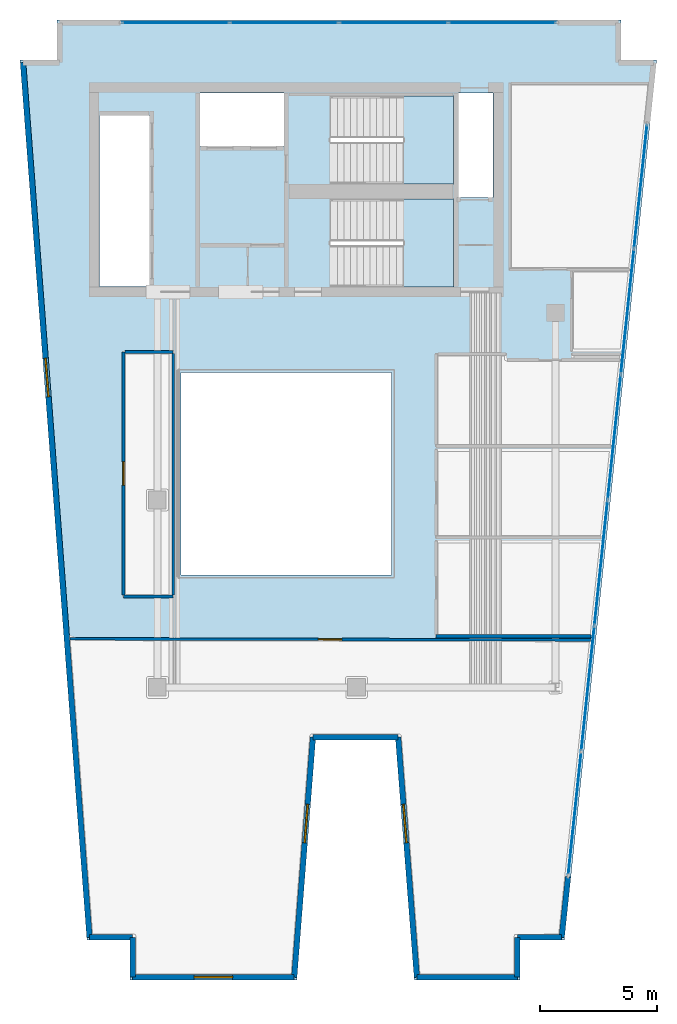
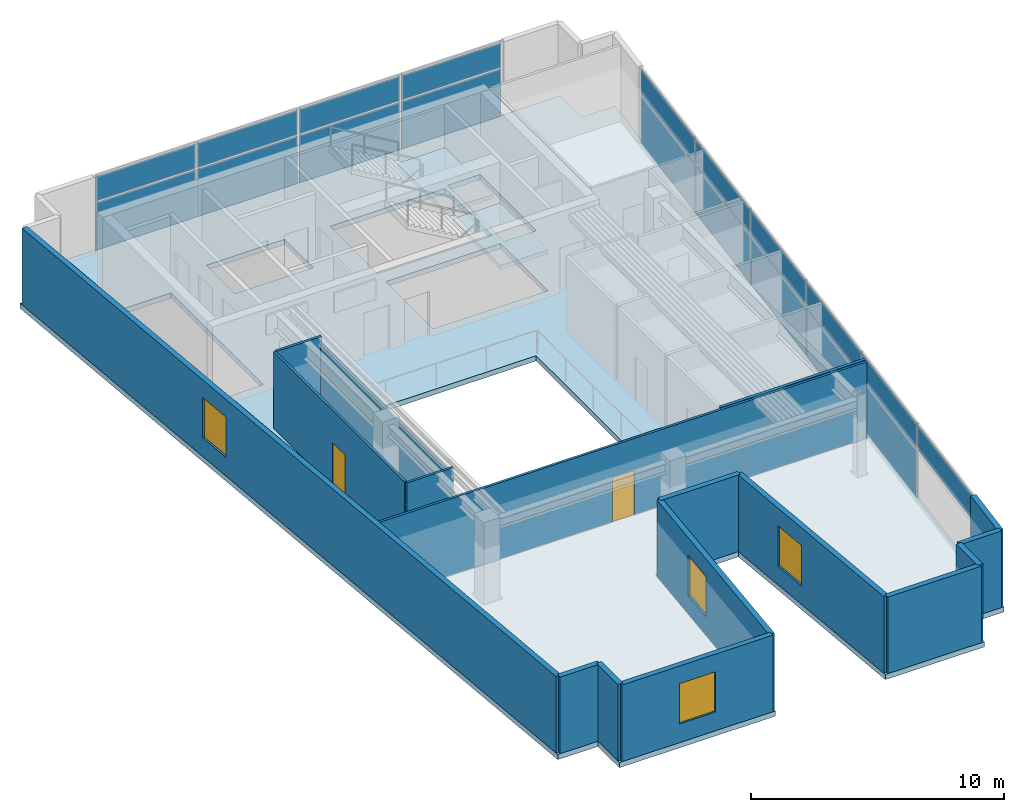
# One storey, part 2 of 6: 19 plates, 17 walls, 4 windows, 3 slabs, 2 doors, 6 openings, 4 elements without a shape of their own.
"""IFC4 building model written with IfcOpenShell, lengths in metres."""

from ifc_helpers import new_model, si_unit, direction, frame, frame_2d, origin, origin_2d, place, context, subcontext, project, spatial, polyline, rectangle, outline, extrude, material, layer, layer_set, type_object, element, fill, aggregate, save


model = new_model("IFC4")

# Units and contexts
model_context = context("Model", 3, precision=1e-05, world=origin(), true_north=direction((0.0, 1.0)))
body_context = subcontext(model_context, "Body", "Model", "MODEL_VIEW")
ifc_project = project(units=[si_unit("LENGTHUNIT", "METRE"), si_unit("AREAUNIT", "SQUARE_METRE"), si_unit("VOLUMEUNIT", "CUBIC_METRE"), si_unit("PLANEANGLEUNIT", "RADIAN"), si_unit("MASSUNIT", "GRAM", prefix="KILO")], contexts=[model_context])

# Site, building, storey
site_placement = place(None, origin())
site = spatial("IfcSite", under=ifc_project, at=site_placement, CompositionType="ELEMENT")
building_placement = place(site_placement, origin())
building = spatial("IfcBuilding", under=site, at=building_placement, Name="Caeloran Harvest Quay", CompositionType="ELEMENT")
storey_placement = place(building_placement, frame((0.0, 0.0, 292.25)))
storey = spatial("IfcBuildingStorey", under=building, at=storey_placement, Name="L70", CompositionType="ELEMENT", Elevation=292.25)

# Curtain wall, plates
ifc_material_1 = material(Name="Aluminium 6063-T6 and Low-E Glazing", Category="aluminium")
ifc_layer_1 = layer(ifc_material_1, 0.219970703125, Name="Aluminium 6063-T6 and Low-E Glazing")
ifc_layer_set_1 = layer_set([ifc_layer_1], Name="Aluminium 6063-T6 and Low-E Glazing")
curtain_wall_type = type_object("IfcCurtainWallType", Name="CW-SYS-CW-5", PredefinedType="USERDEFINED", material=ifc_layer_set_1)
curtain_wall_1_placement = place(storey_placement, origin())
curtain_wall_1 = element("IfcCurtainWall", 1, at=curtain_wall_1_placement, inside=storey, type_object=curtain_wall_type, Name="L70 Unitised Curtain Wall CW-5 Run 6", ObjectType="CURTAIN_WALL", PredefinedType="USERDEFINED")
ifc_material_2 = material(Name="Low-E Double Glazed Vision Glass Unit", Category="glass")
ifc_layer_2 = layer(ifc_material_2, 0.035888671875, Name="Low-E Double Glazed Vision Glass Unit")
ifc_layer_set_2 = layer_set([ifc_layer_2], Name="Low-E Double Glazed Vision Glass Unit")
plate_type = type_object("IfcPlateType", Name="CW-VISION-PANEL", PredefinedType="CURTAIN_PANEL", material=ifc_layer_set_2)
plate_1_placement = place(storey_placement, frame((9.2724609375, 43.3798828125, 0.080078125), z_axis=(0.0, 0.0, 1.0), x_axis=(1.0, 0.0, 0.0)))
plate_1 = element("IfcPlate", 2, at=plate_1_placement, type_object=plate_type, Name="CW-5 panel 1.1", PredefinedType="CURTAIN_PANEL", context=body_context, shape_type="SweptSolid", body=[
    extrude(rectangle(XDim=4.544921875, YDim=0.035888671875, at=origin_2d()), origin(), (0.0, 0.0, 1.0), 2.280029296875),
])
plate_2_placement = place(storey_placement, frame((9.2724609375, 43.3798828125, 2.43994140625), z_axis=(0.0, 0.0, 1.0), x_axis=(1.0, 0.0, 0.0)))
plate_2 = element("IfcPlate", 3, at=plate_2_placement, type_object=plate_type, Name="CW-5 panel 1.2", PredefinedType="CURTAIN_PANEL", context=body_context, shape_type="SweptSolid", body=[
    extrude(rectangle(XDim=4.544921875, YDim=0.035888671875, at=origin_2d()), origin(), (0.0, 0.0, 1.0), 1.179931640625),
])
plate_3_placement = place(storey_placement, frame((13.91748046875, 43.3798828125, 0.080078125), z_axis=(0.0, 0.0, 1.0), x_axis=(1.0, 0.0, 0.0)))
plate_3 = element("IfcPlate", 4, at=plate_3_placement, type_object=plate_type, Name="CW-5 panel 2.1", PredefinedType="CURTAIN_PANEL", context=body_context, shape_type="SweptSolid", body=[
    extrude(rectangle(XDim=4.5849609375, YDim=0.035888671875, at=origin_2d()), origin(), (0.0, 0.0, 1.0), 2.280029296875),
])
plate_4_placement = place(storey_placement, frame((13.91748046875, 43.3798828125, 2.43994140625), z_axis=(0.0, 0.0, 1.0), x_axis=(1.0, 0.0, 0.0)))
plate_4 = element("IfcPlate", 5, at=plate_4_placement, type_object=plate_type, Name="CW-5 panel 2.2", PredefinedType="CURTAIN_PANEL", context=body_context, shape_type="SweptSolid", body=[
    extrude(rectangle(XDim=4.5849609375, YDim=0.035888671875, at=origin_2d()), origin(), (0.0, 0.0, 1.0), 1.179931640625),
])
plate_5_placement = place(storey_placement, frame((18.58251953125, 43.3798828125, 0.080078125), z_axis=(0.0, 0.0, 1.0), x_axis=(1.0, 0.0, 0.0)))
plate_5 = element("IfcPlate", 6, at=plate_5_placement, type_object=plate_type, Name="CW-5 panel 3.1", PredefinedType="CURTAIN_PANEL", context=body_context, shape_type="SweptSolid", body=[
    extrude(rectangle(XDim=4.5849609375, YDim=0.035888671875, at=origin_2d()), origin(), (0.0, 0.0, 1.0), 2.280029296875),
])
plate_6_placement = place(storey_placement, frame((18.58251953125, 43.3798828125, 2.43994140625), z_axis=(0.0, 0.0, 1.0), x_axis=(1.0, 0.0, 0.0)))
plate_6 = element("IfcPlate", 7, at=plate_6_placement, type_object=plate_type, Name="CW-5 panel 3.2", PredefinedType="CURTAIN_PANEL", context=body_context, shape_type="SweptSolid", body=[
    extrude(rectangle(XDim=4.5849609375, YDim=0.035888671875, at=origin_2d()), origin(), (0.0, 0.0, 1.0), 1.179931640625),
])
plate_7_placement = place(storey_placement, frame((23.2275390625, 43.3798828125, 0.080078125), z_axis=(0.0, 0.0, 1.0), x_axis=(1.0, 0.0, 0.0)))
plate_7 = element("IfcPlate", 8, at=plate_7_placement, type_object=plate_type, Name="CW-5 panel 4.1", PredefinedType="CURTAIN_PANEL", context=body_context, shape_type="SweptSolid", body=[
    extrude(rectangle(XDim=4.544921875, YDim=0.035888671875, at=origin_2d()), origin(), (0.0, 0.0, 1.0), 2.280029296875),
])
plate_8_placement = place(storey_placement, frame((23.2275390625, 43.3798828125, 2.43994140625), z_axis=(0.0, 0.0, 1.0), x_axis=(1.0, 0.0, 0.0)))
plate_8 = element("IfcPlate", 9, at=plate_8_placement, type_object=plate_type, Name="CW-5 panel 4.2", PredefinedType="CURTAIN_PANEL", context=body_context, shape_type="SweptSolid", body=[
    extrude(rectangle(XDim=4.544921875, YDim=0.035888671875, at=origin_2d()), origin(), (0.0, 0.0, 1.0), 1.179931640625),
])
aggregate(curtain_wall_1, [plate_1, plate_2, plate_3, plate_4, plate_5, plate_6, plate_7, plate_8])

curtain_wall_2_placement = place(storey_placement, origin())
curtain_wall_2 = element("IfcCurtainWall", 10, at=curtain_wall_2_placement, inside=storey, type_object=curtain_wall_type, Name="L70 Unitised Curtain Wall CW-5 Run 9", ObjectType="CURTAIN_WALL", PredefinedType="USERDEFINED")
plate_9_placement = place(storey_placement, frame((29.132568359375, 36.391845703125, 0.080078125), z_axis=(0.0, 0.0, 1.0), x_axis=(-0.104460096251, -0.994529078655, 0.0)))
plate_9 = element("IfcPlate", 11, at=plate_9_placement, type_object=plate_type, Name="CW-5 panel 1.1", PredefinedType="CURTAIN_PANEL", context=body_context, shape_type="SweptSolid", body=[
    extrude(rectangle(XDim=5.274169921875, YDim=0.035888671875, at=origin_2d()), origin(), (0.0, 0.0, 1.0), 2.280029296875),
])
plate_10_placement = place(storey_placement, frame((29.132568359375, 36.391845703125, 2.43994140625), z_axis=(0.0, 0.0, 1.0), x_axis=(-0.104460096251, -0.994529078655, 0.0)))
plate_10 = element("IfcPlate", 12, at=plate_10_placement, type_object=plate_type, Name="CW-5 panel 1.2", PredefinedType="CURTAIN_PANEL", context=body_context, shape_type="SweptSolid", body=[
    extrude(rectangle(XDim=5.274169921875, YDim=0.035888671875, at=origin_2d()), origin(), (0.0, 0.0, 1.0), 1.179931640625),
])
plate_11_placement = place(storey_placement, frame((28.5712890625, 31.047119140625, 0.080078125), z_axis=(0.0, 0.0, 1.0), x_axis=(-0.104460096251, -0.994529078655, 0.0)))
plate_11 = element("IfcPlate", 13, at=plate_11_placement, type_object=plate_type, Name="CW-5 panel 2.1", PredefinedType="CURTAIN_PANEL", context=body_context, shape_type="SweptSolid", body=[
    extrude(rectangle(XDim=5.314208984375, YDim=0.035888671875, at=origin_2d()), origin(), (0.0, 0.0, 1.0), 2.280029296875),
])
plate_12_placement = place(storey_placement, frame((28.5712890625, 31.047119140625, 2.43994140625), z_axis=(0.0, 0.0, 1.0), x_axis=(-0.104460096251, -0.994529078655, 0.0)))
plate_12 = element("IfcPlate", 14, at=plate_12_placement, type_object=plate_type, Name="CW-5 panel 2.2", PredefinedType="CURTAIN_PANEL", context=body_context, shape_type="SweptSolid", body=[
    extrude(rectangle(XDim=5.314208984375, YDim=0.035888671875, at=origin_2d()), origin(), (0.0, 0.0, 1.0), 1.179931640625),
])
plate_13_placement = place(storey_placement, frame((28.0078125, 25.682373046875, 0.080078125), z_axis=(0.0, 0.0, 1.0), x_axis=(-0.104460096251, -0.994529078655, 0.0)))
plate_13 = element("IfcPlate", 15, at=plate_13_placement, type_object=plate_type, Name="CW-5 panel 3.1", PredefinedType="CURTAIN_PANEL", context=body_context, shape_type="SweptSolid", body=[
    extrude(rectangle(XDim=5.314208984375, YDim=0.035888671875, at=origin_2d()), origin(), (0.0, 0.0, 1.0), 2.280029296875),
])
plate_14_placement = place(storey_placement, frame((28.0078125, 25.682373046875, 2.43994140625), z_axis=(0.0, 0.0, 1.0), x_axis=(-0.104460096251, -0.994529078655, 0.0)))
plate_14 = element("IfcPlate", 16, at=plate_14_placement, type_object=plate_type, Name="CW-5 panel 3.2", PredefinedType="CURTAIN_PANEL", context=body_context, shape_type="SweptSolid", body=[
    extrude(rectangle(XDim=5.314208984375, YDim=0.035888671875, at=origin_2d()), origin(), (0.0, 0.0, 1.0), 1.179931640625),
])
plate_15_placement = place(storey_placement, frame((27.4443359375, 20.317626953125, 0.080078125), z_axis=(0.0, 0.0, 1.0), x_axis=(-0.104460096251, -0.994529078655, 0.0)))
plate_15 = element("IfcPlate", 17, at=plate_15_placement, type_object=plate_type, Name="CW-5 panel 4.1", PredefinedType="CURTAIN_PANEL", context=body_context, shape_type="SweptSolid", body=[
    extrude(rectangle(XDim=5.314208984375, YDim=0.035888671875, at=origin_2d()), origin(), (0.0, 0.0, 1.0), 2.280029296875),
])
plate_16_placement = place(storey_placement, frame((27.4443359375, 20.317626953125, 2.43994140625), z_axis=(0.0, 0.0, 1.0), x_axis=(-0.104460096251, -0.994529078655, 0.0)))
plate_16 = element("IfcPlate", 18, at=plate_16_placement, type_object=plate_type, Name="CW-5 panel 4.2", PredefinedType="CURTAIN_PANEL", context=body_context, shape_type="SweptSolid", body=[
    extrude(rectangle(XDim=5.314208984375, YDim=0.035888671875, at=origin_2d()), origin(), (0.0, 0.0, 1.0), 1.179931640625),
])
plate_17_placement = place(storey_placement, frame((26.880859375, 14.952880859375, 0.080078125), z_axis=(0.0, 0.0, 1.0), x_axis=(-0.104460096251, -0.994529078655, 0.0)))
plate_17 = element("IfcPlate", 19, at=plate_17_placement, type_object=plate_type, Name="CW-5 panel 5.1", PredefinedType="CURTAIN_PANEL", context=body_context, shape_type="SweptSolid", body=[
    extrude(rectangle(XDim=5.314208984375, YDim=0.035888671875, at=origin_2d()), origin(), (0.0, 0.0, 1.0), 2.280029296875),
])
plate_18_placement = place(storey_placement, frame((26.880859375, 14.952880859375, 2.43994140625), z_axis=(0.0, 0.0, 1.0), x_axis=(-0.104460096251, -0.994529078655, 0.0)))
plate_18 = element("IfcPlate", 20, at=plate_18_placement, type_object=plate_type, Name="CW-5 panel 5.2", PredefinedType="CURTAIN_PANEL", context=body_context, shape_type="SweptSolid", body=[
    extrude(rectangle(XDim=5.314208984375, YDim=0.035888671875, at=origin_2d()), origin(), (0.0, 0.0, 1.0), 1.179931640625),
])
plate_19_placement = place(storey_placement, frame((26.3193359375, 9.608154296875, 2.43994140625), z_axis=(0.0, 0.0, 1.0), x_axis=(-0.104460096251, -0.994529078655, 0.0)))
plate_19 = element("IfcPlate", 21, at=plate_19_placement, type_object=plate_type, Name="CW-5 panel 6.2", PredefinedType="CURTAIN_PANEL", context=body_context, shape_type="SweptSolid", body=[
    extrude(rectangle(XDim=5.274169921875, YDim=0.035888671875, at=origin_2d()), origin(), (0.0, 0.0, 1.0), 1.179931640625),
])
aggregate(curtain_wall_2, [plate_9, plate_10, plate_11, plate_12, plate_13, plate_14, plate_15, plate_16, plate_17, plate_18, plate_19])

# Slab
ifc_material_3 = material(Name="Concrete C50/60", Category="concrete")
ifc_layer_3 = layer(ifc_material_3, 0.25, Name="Concrete C50/60")
ifc_layer_set_3 = layer_set([ifc_layer_3], Name="Concrete C50/60")
slab_type_1 = type_object("IfcSlabType", Name="SLAB-FS-250", PredefinedType="FLOOR", material=ifc_layer_set_3)
slab_1_placement = place(storey_placement, frame((0.0, 0.0, -0.25)))
element("IfcSlab", 22, at=slab_1_placement, inside=storey, type_object=slab_type_1, Name="L70 Structural Floor Slab", PredefinedType="FLOOR", context=body_context, shape_type="SweptSolid", body=[
    extrude(outline(polyline([(7.318603515625, 2.5), (14.451416015625, 2.5), (15.25146484375, 12.75), (18.670166015625, 12.75), (19.47021484375, 2.5), (23.993408203125, 2.5), (23.993408203125, 4.199951171875), (25.8720703125, 4.199951171875), (29.8212890625, 41.800048828125), (28.300048828125, 41.800048828125), (28.300048828125, 43.5), (4.199951171875, 43.5), (4.199951171875, 41.800048828125), (2.62939453125, 41.800048828125), (5.4892578125, 4.199951171875), (7.318603515625, 4.199951171875), (7.318603515625, 2.5)]), holes=[polyline([(18.5, 28.449951171875), (18.5, 19.800048828125), (9.5, 19.800048828125), (9.5, 28.449951171875), (18.5, 28.449951171875)]), polyline([(15.89990234375, 32.10009765625), (15.89990234375, 35.85009765625), (21.14990234375, 35.85009765625), (21.14990234375, 32.10009765625), (15.89990234375, 32.10009765625)]), polyline([(8.159912109375, 32.1201171875), (6.02001953125, 32.1201171875), (6.02001953125, 39.419921875), (8.159912109375, 39.419921875), (8.159912109375, 32.1201171875)]), polyline([(22.830078125, 40.3798828125), (22.830078125, 35.919921875), (21.35009765625, 35.919921875), (21.35009765625, 40.3798828125), (22.830078125, 40.3798828125)]), polyline([(15.89990234375, 36.5), (15.89990234375, 40.25), (21.14990234375, 40.25), (21.14990234375, 36.5), (15.89990234375, 36.5)]), polyline([(13.89990234375, 38.1201171875), (10.320068359375, 38.1201171875), (10.320068359375, 40.3798828125), (13.89990234375, 40.3798828125), (13.89990234375, 38.1201171875)])]), origin(), (0.0, 0.0, 1.0), 0.25),
])

# Stair, slab
stair_type = type_object("IfcStairType", Name="STAIR-STC-180", PredefinedType="HALF_TURN_STAIR", material=ifc_material_3)
stair_1_placement = place(storey_placement, origin())
stair_1 = element("IfcStair", 23, at=stair_1_placement, inside=storey, type_object=stair_type, Name="L70 Core Pressurized Exit Stair ST-C1", PredefinedType="HALF_TURN_STAIR")
ifc_layer_4 = layer(ifc_material_3, 0.219970703125, Name="Concrete C50/60")
ifc_layer_set_4 = layer_set([ifc_layer_4], Name="Concrete C50/60")
slab_type_2 = type_object("IfcSlabType", Name="STAIR-LANDING-220", PredefinedType="LANDING", material=ifc_layer_set_4)
slab_2_placement = place(storey_placement, frame((0.0, 0.0, 1.77490234375)))
slab_2 = element("IfcSlab", 24, at=slab_2_placement, type_object=slab_type_2, Name="ST-C1 landing 1", PredefinedType="LANDING", context=body_context, shape_type="SweptSolid", body=[
    extrude(outline(polyline([(18.97998046875, 36.5), (21.14990234375, 36.5), (21.14990234375, 40.25), (18.97998046875, 40.25), (18.97998046875, 36.5)])), origin(), (0.0, 0.0, 1.0), 0.2001953125),
])
aggregate(stair_1, [slab_2])

stair_2_placement = place(storey_placement, origin())
stair_2 = element("IfcStair", 25, at=stair_2_placement, inside=storey, type_object=stair_type, Name="L70 Core Pressurized Exit Stair ST-C2", PredefinedType="HALF_TURN_STAIR")
slab_3_placement = place(storey_placement, frame((0.0, 0.0, 1.77490234375)))
slab_3 = element("IfcSlab", 26, at=slab_3_placement, type_object=slab_type_2, Name="ST-C2 landing 1", PredefinedType="LANDING", context=body_context, shape_type="SweptSolid", body=[
    extrude(outline(polyline([(18.97998046875, 32.10009765625), (21.14990234375, 32.10009765625), (21.14990234375, 35.85009765625), (18.97998046875, 35.85009765625), (18.97998046875, 32.10009765625)])), origin(), (0.0, 0.0, 1.0), 0.2001953125),
])
aggregate(stair_2, [slab_3])

# Walls
ifc_material_4 = material(Name="Precast concrete C50/60", Category="concrete")
ifc_layer_5 = layer(ifc_material_4, 0.239990234375, Name="Precast concrete C50/60")
ifc_layer_set_5 = layer_set([ifc_layer_5], Name="Precast concrete C50/60")
wall_type_1 = type_object("IfcWallType", Name="ENV-WALL-EW-240", PredefinedType="STANDARD", material=ifc_layer_set_5)
wall_1_placement = place(storey_placement, frame((7.4384765625, 2.6201171875, 0.0), z_axis=(0.0, 0.0, 1.0), x_axis=(0.0, 1.0, 0.0)))
element("IfcWall", 27, at=wall_1_placement, inside=storey, type_object=wall_type_1, Name="L70 Exterior Precast Concrete Facade Wall 1", PredefinedType="STANDARD", context=body_context, shape_type="SweptSolid", body=[
    extrude(rectangle(XDim=1.699951171875, YDim=0.239990234375, at=frame_2d((0.85009765625, 0.0))), origin(), (0.0, 0.0, 1.0), 3.699951171875),
])
wall_2_placement = place(storey_placement, frame((7.4384765625, 4.320068359375, 0.0), z_axis=(0.0, 0.0, 1.0), x_axis=(-1.0, 0.0, 0.0)))
element("IfcWall", 28, at=wall_2_placement, inside=storey, type_object=wall_type_1, Name="L70 Exterior Precast Concrete Facade Wall 2", PredefinedType="STANDARD", context=body_context, shape_type="SweptSolid", body=[
    extrude(rectangle(XDim=1.838134765625, YDim=0.239990234375, at=frame_2d((0.9189453125, 0.0))), origin(), (0.0, 0.0, 1.0), 3.699951171875),
])

# Wall, opening, window
wall_3_placement = place(storey_placement, frame((5.600341796875, 4.320068359375, 0.0), z_axis=(0.0, 0.0, 1.0), x_axis=(-0.075839920993, 0.997120006009, 0.0)))
wall_3 = element("IfcWall", 29, at=wall_3_placement, inside=storey, type_object=wall_type_1, Name="L70 Exterior Precast Concrete Facade Wall 3", PredefinedType="STANDARD", context=body_context, shape_type="SweptSolid", body=[
    extrude(rectangle(XDim=37.4677734375, YDim=0.239990234375, at=frame_2d((18.73388671875, 0.0))), origin(), (0.0, 0.0, 1.0), 3.699951171875),
])
opening_1_placement = place(wall_3_placement, frame((23.154052734375, 0.0, 0.89990234375)))
opening_1 = element("IfcOpeningElement", 30, at=opening_1_placement, cuts=wall_3, Name="Opening W-08", PredefinedType="OPENING", context=body_context, shape_type="SweptSolid", body=[
    extrude(rectangle(XDim=1.64990234375, YDim=1.949951171875, at=frame_2d((0.824951171875, 0.97509765625))), frame((0.0, 0.1298828125, 0.0), z_axis=(0.0, -1.0, 0.0), x_axis=(1.0, 0.0, 0.0)), (0.0, 0.0, 1.0), 0.260009765625),
])
ifc_material_5 = material(Name="Aluminium-Framed Low-E Laminated Glass", Category="aluminium")
window_type = type_object("IfcWindowType", Name="WIN-W-08", PartitioningType="SINGLE_PANEL", PredefinedType="WINDOW", material=ifc_material_5)
window_1_placement = place(opening_1_placement, origin())
window_1 = element("IfcWindow", 31, at=window_1_placement, inside=storey, type_object=window_type, Name="L70 Facade Punched Window W-08", OverallHeight=1.949951171875, OverallWidth=1.64990234375, PartitioningType="SINGLE_PANEL", PredefinedType="WINDOW", context=body_context, shape_type="SweptSolid", body=[
    extrude(rectangle(XDim=1.64990234375, YDim=1.949951171875, at=frame_2d((0.824951171875, 0.97509765625))), frame((0.0, 0.030029296875, 0.0), z_axis=(0.0, -1.0, 0.0), x_axis=(1.0, 0.0, 0.0)), (0.0, 0.0, 1.0), 0.06005859375),
])
fill(opening_1, window_1)

# Walls
wall_4_placement = place(storey_placement, frame((26.03564453125, 6.90576171875, 0.0), z_axis=(0.0, 0.0, 1.0), x_axis=(-0.104513699976, -0.994523446942, 0.0)))
element("IfcWall", 32, at=wall_4_placement, inside=storey, type_object=wall_type_1, Name="L70 Exterior Facade Corner Pier Wall 9B", PredefinedType="STANDARD", context=body_context, shape_type="SweptSolid", body=[
    extrude(rectangle(XDim=2.599853515625, YDim=0.239990234375, at=frame_2d((1.2998046875, 0.0))), origin(), (0.0, 0.0, 1.0), 3.699951171875),
])
wall_5_placement = place(storey_placement, frame((25.763916015625, 4.320068359375, 0.0), z_axis=(0.0, 0.0, 1.0), x_axis=(-1.0, 0.0, 0.0)))
element("IfcWall", 33, at=wall_5_placement, inside=storey, type_object=wall_type_1, Name="L70 Exterior Precast Concrete Facade Wall 10", PredefinedType="STANDARD", context=body_context, shape_type="SweptSolid", body=[
    extrude(rectangle(XDim=1.890380859375, YDim=0.239990234375, at=frame_2d((0.9453125, 0.0))), origin(), (0.0, 0.0, 1.0), 3.699951171875),
])
wall_6_placement = place(storey_placement, frame((23.87353515625, 4.320068359375, 0.0), z_axis=(0.0, 0.0, 1.0), x_axis=(0.0, -1.0, 0.0)))
element("IfcWall", 34, at=wall_6_placement, inside=storey, type_object=wall_type_1, Name="L70 Exterior Precast Concrete Facade Wall 11", PredefinedType="STANDARD", context=body_context, shape_type="SweptSolid", body=[
    extrude(rectangle(XDim=1.699951171875, YDim=0.239990234375, at=frame_2d((0.85009765625, 0.0))), origin(), (0.0, 0.0, 1.0), 3.699951171875),
])
wall_7_placement = place(storey_placement, frame((23.87353515625, 2.6201171875, 0.0), z_axis=(0.0, 0.0, 1.0), x_axis=(-1.0, 0.0, 0.0)))
element("IfcWall", 35, at=wall_7_placement, inside=storey, type_object=wall_type_1, Name="L70 Exterior Precast Concrete Facade Wall 12", PredefinedType="STANDARD", context=body_context, shape_type="SweptSolid", body=[
    extrude(rectangle(XDim=4.292236328125, YDim=0.239990234375, at=frame_2d((2.14599609375, 0.0))), origin(), (0.0, 0.0, 1.0), 3.699951171875),
])

# Wall, opening, window
wall_8_placement = place(storey_placement, frame((19.581298828125, 2.6201171875, 0.0), z_axis=(0.0, 0.0, 1.0), x_axis=(-0.077816860153, 0.996967670627, 0.0)))
wall_8 = element("IfcWall", 36, at=wall_8_placement, inside=storey, type_object=wall_type_1, Name="L70 Exterior Precast Concrete Facade Wall 13", PredefinedType="STANDARD", context=body_context, shape_type="SweptSolid", body=[
    extrude(rectangle(XDim=10.28125, YDim=0.239990234375, at=frame_2d((5.140625, 0.0))), origin(), (0.0, 0.0, 1.0), 3.699951171875),
])
opening_2_placement = place(wall_8_placement, frame((5.7548828125, 0.0, 0.89990234375)))
opening_2 = element("IfcOpeningElement", 37, at=opening_2_placement, cuts=wall_8, Name="Opening W-08", PredefinedType="OPENING", context=body_context, shape_type="SweptSolid", body=[
    extrude(rectangle(XDim=1.64990234375, YDim=1.949951171875, at=frame_2d((0.824951171875, 0.97509765625))), frame((0.0, 0.1298828125, 0.0), z_axis=(0.0, -1.0, 0.0), x_axis=(1.0, 0.0, 0.0)), (0.0, 0.0, 1.0), 0.260009765625),
])
window_2_placement = place(opening_2_placement, origin())
window_2 = element("IfcWindow", 38, at=window_2_placement, inside=storey, type_object=window_type, Name="L70 Facade Punched Window W-08", OverallHeight=1.949951171875, OverallWidth=1.64990234375, PartitioningType="SINGLE_PANEL", PredefinedType="WINDOW", context=body_context, shape_type="SweptSolid", body=[
    extrude(rectangle(XDim=1.64990234375, YDim=1.949951171875, at=frame_2d((0.824951171875, 0.97509765625))), frame((0.0, 0.030029296875, 0.0), z_axis=(0.0, -1.0, 0.0), x_axis=(1.0, 0.0, 0.0)), (0.0, 0.0, 1.0), 0.06005859375),
])
fill(opening_2, window_2)

# Wall
wall_9_placement = place(storey_placement, frame((18.78125, 12.8701171875, 0.0), z_axis=(0.0, 0.0, 1.0), x_axis=(-1.0, 0.0, 0.0)))
element("IfcWall", 39, at=wall_9_placement, inside=storey, type_object=wall_type_1, Name="L70 Exterior Precast Concrete Facade Wall 14", PredefinedType="STANDARD", context=body_context, shape_type="SweptSolid", body=[
    extrude(rectangle(XDim=3.640869140625, YDim=0.239990234375, at=frame_2d((1.8203125, 0.0))), origin(), (0.0, 0.0, 1.0), 3.699951171875),
])

# Wall, opening, window
wall_10_placement = place(storey_placement, frame((15.140380859375, 12.8701171875, 0.0), z_axis=(0.0, 0.0, 1.0), x_axis=(-0.077793257511, -0.996969512616, 0.0)))
wall_10 = element("IfcWall", 40, at=wall_10_placement, inside=storey, type_object=wall_type_1, Name="L70 Exterior Precast Concrete Facade Wall 15", PredefinedType="STANDARD", context=body_context, shape_type="SweptSolid", body=[
    extrude(rectangle(XDim=10.28125, YDim=0.239990234375, at=frame_2d((5.140625, 0.0))), origin(), (0.0, 0.0, 1.0), 3.699951171875),
])
opening_3_placement = place(wall_10_placement, frame((2.8759765625, 0.0, 0.89990234375)))
opening_3 = element("IfcOpeningElement", 41, at=opening_3_placement, cuts=wall_10, Name="Opening W-08", PredefinedType="OPENING", context=body_context, shape_type="SweptSolid", body=[
    extrude(rectangle(XDim=1.64990234375, YDim=1.949951171875, at=frame_2d((0.824951171875, 0.97509765625))), frame((0.0, 0.1298828125, 0.0), z_axis=(0.0, -1.0, 0.0), x_axis=(1.0, 0.0, 0.0)), (0.0, 0.0, 1.0), 0.260009765625),
])
window_3_placement = place(opening_3_placement, origin())
window_3 = element("IfcWindow", 42, at=window_3_placement, inside=storey, type_object=window_type, Name="L70 Facade Punched Window W-08", OverallHeight=1.949951171875, OverallWidth=1.64990234375, PartitioningType="SINGLE_PANEL", PredefinedType="WINDOW", context=body_context, shape_type="SweptSolid", body=[
    extrude(rectangle(XDim=1.64990234375, YDim=1.949951171875, at=frame_2d((0.824951171875, 0.97509765625))), frame((0.0, 0.030029296875, 0.0), z_axis=(0.0, -1.0, 0.0), x_axis=(1.0, 0.0, 0.0)), (0.0, 0.0, 1.0), 0.06005859375),
])
fill(opening_3, window_3)

wall_11_placement = place(storey_placement, frame((14.340576171875, 2.6201171875, 0.0), z_axis=(0.0, 0.0, 1.0), x_axis=(-1.0, 0.0, 0.0)))
wall_11 = element("IfcWall", 43, at=wall_11_placement, inside=storey, type_object=wall_type_1, Name="L70 Exterior Precast Concrete Facade Wall 16", PredefinedType="STANDARD", context=body_context, shape_type="SweptSolid", body=[
    extrude(rectangle(XDim=6.902099609375, YDim=0.239990234375, at=frame_2d((3.451171875, 0.0))), origin(), (0.0, 0.0, 1.0), 3.699951171875),
])
opening_4_placement = place(wall_11_placement, frame((2.6259765625, 0.0, 0.89990234375)))
opening_4 = element("IfcOpeningElement", 44, at=opening_4_placement, cuts=wall_11, Name="Opening W-08", PredefinedType="OPENING", context=body_context, shape_type="SweptSolid", body=[
    extrude(rectangle(XDim=1.64990234375, YDim=1.949951171875, at=frame_2d((0.824951171875, 0.97509765625))), frame((0.0, 0.1298828125, 0.0), z_axis=(0.0, -1.0, 0.0), x_axis=(1.0, 0.0, 0.0)), (0.0, 0.0, 1.0), 0.260009765625),
])
window_4_placement = place(opening_4_placement, origin())
window_4 = element("IfcWindow", 45, at=window_4_placement, inside=storey, type_object=window_type, Name="L70 Facade Punched Window W-08", OverallHeight=1.949951171875, OverallWidth=1.64990234375, PartitioningType="SINGLE_PANEL", PredefinedType="WINDOW", context=body_context, shape_type="SweptSolid", body=[
    extrude(rectangle(XDim=1.64990234375, YDim=1.949951171875, at=frame_2d((0.824951171875, 0.97509765625))), frame((0.0, 0.030029296875, 0.0), z_axis=(0.0, -1.0, 0.0), x_axis=(1.0, 0.0, 0.0)), (0.0, 0.0, 1.0), 0.06005859375),
])
fill(opening_4, window_4)

# Wall, opening, door
ifc_material_6 = material(Name="Single-Stud Acoustic Gypsum Office Partition", Category="gypsum")
ifc_layer_6 = layer(ifc_material_6, 0.112060546875, Name="Single-Stud Acoustic Gypsum Office Partition")
ifc_layer_set_6 = layer_set([ifc_layer_6], Name="Single-Stud Acoustic Gypsum Office Partition")
wall_type_2 = type_object("IfcWallType", Name="INT-WALL-PW-112", PredefinedType="PARTITIONING", material=ifc_layer_set_6)
wall_12_placement = place(storey_placement, frame((4.755859375, 17.070556640625, 0.0), z_axis=(0.0, 0.0, 1.0), x_axis=(0.999997417422, -0.00227269645, 0.0)))
wall_12 = element("IfcWall", 46, at=wall_12_placement, inside=storey, type_object=wall_type_2, Name="Global Agro-Holdings Conference Hall Partition Wall", PredefinedType="PARTITIONING", context=body_context, shape_type="SweptSolid", body=[
    extrude(rectangle(XDim=22.236572265625, YDim=0.112060546875, at=frame_2d((11.1181640625, 0.0))), origin(), (0.0, 0.0, 1.0), 3.699951171875),
])
opening_5_placement = place(wall_12_placement, frame((10.618408203125, 0.0, 0.0)))
opening_5 = element("IfcOpeningElement", 47, at=opening_5_placement, cuts=wall_12, Name="Opening ID-01", PredefinedType="OPENING", context=body_context, shape_type="SweptSolid", body=[
    extrude(rectangle(XDim=1.0, YDim=2.14990234375, at=frame_2d((0.5, 1.074951171875))), frame((0.0, 0.06591796875, 0.0), z_axis=(0.0, -1.0, 0.0), x_axis=(1.0, 0.0, 0.0)), (0.0, 0.0, 1.0), 0.132080078125),
])
ifc_material_7 = material(Name="FSC Solid-Core Ash Timber and Acoustic Seal", Category="wood")
door_type = type_object("IfcDoorType", Name="INTDOOR-ID-01", OperationType="NOTDEFINED", PredefinedType="DOOR", material=ifc_material_7)
door_1_placement = place(opening_5_placement, origin())
door_1 = element("IfcDoor", 48, at=door_1_placement, inside=storey, type_object=door_type, Name="Global Agro-Holdings Conference Hall Access Door", OperationType="SINGLE_SWING_LEFT", OverallHeight=2.14990234375, OverallWidth=1.0, PredefinedType="DOOR", context=body_context, shape_type="SweptSolid", body=[
    extrude(rectangle(XDim=1.0, YDim=2.14990234375, at=frame_2d((0.5, 1.074951171875))), frame((0.0, 0.02490234375, 0.0), z_axis=(0.0, -1.0, 0.0), x_axis=(1.0, 0.0, 0.0)), (0.0, 0.0, 1.0), 0.050048828125),
])
fill(opening_5, door_1)

# Wall
wall_13_placement = place(storey_placement, frame((9.169921875, 18.8798828125, 0.0), z_axis=(0.0, 0.0, 1.0), x_axis=(-1.0, 0.0, 0.0)))
element("IfcWall", 49, at=wall_13_placement, inside=storey, type_object=wall_type_2, Name="Treasury Risk Seminar Room Partition Wall", PredefinedType="PARTITIONING", context=body_context, shape_type="SweptSolid", body=[
    extrude(rectangle(XDim=2.119873046875, YDim=0.112060546875, at=frame_2d((1.06005859375, 0.0))), origin(), (0.0, 0.0, 1.0), 3.699951171875),
])

# Wall, opening, door
wall_14_placement = place(storey_placement, frame((7.050048828125, 18.94091796875, 0.0), z_axis=(0.0, 0.0, 1.0), x_axis=(0.0, 1.0, 0.0)))
wall_14 = element("IfcWall", 50, at=wall_14_placement, inside=storey, type_object=wall_type_2, Name="Treasury Risk Seminar Room Partition Wall", PredefinedType="PARTITIONING", context=body_context, shape_type="SweptSolid", body=[
    extrude(rectangle(XDim=10.379150390625, YDim=0.112060546875, at=frame_2d((5.189453125, 0.0))), origin(), (0.0, 0.0, 1.0), 3.699951171875),
])
opening_6_placement = place(wall_14_placement, frame((4.689453125, 0.0, 0.0)))
opening_6 = element("IfcOpeningElement", 51, at=opening_6_placement, cuts=wall_14, Name="Opening ID-01", PredefinedType="OPENING", context=body_context, shape_type="SweptSolid", body=[
    extrude(rectangle(XDim=1.0, YDim=2.14990234375, at=frame_2d((0.5, 1.074951171875))), frame((0.0, 0.06591796875, 0.0), z_axis=(0.0, -1.0, 0.0), x_axis=(1.0, 0.0, 0.0)), (0.0, 0.0, 1.0), 0.132080078125),
])
door_2_placement = place(opening_6_placement, origin())
door_2 = element("IfcDoor", 52, at=door_2_placement, inside=storey, type_object=door_type, Name="Treasury Risk Seminar Room Access Door", OperationType="SINGLE_SWING_RIGHT", OverallHeight=2.14990234375, OverallWidth=1.0, PredefinedType="DOOR", context=body_context, shape_type="SweptSolid", body=[
    extrude(rectangle(XDim=1.0, YDim=2.14990234375, at=frame_2d((0.5, 1.074951171875))), frame((0.0, 0.02490234375, 0.0), z_axis=(0.0, -1.0, 0.0), x_axis=(1.0, 0.0, 0.0)), (0.0, 0.0, 1.0), 0.050048828125),
])
fill(opening_6, door_2)

# Walls
wall_15_placement = place(storey_placement, frame((7.111083984375, 29.320068359375, 0.0), z_axis=(0.0, 0.0, 1.0), x_axis=(1.0, 0.0, 0.0)))
element("IfcWall", 53, at=wall_15_placement, inside=storey, type_object=wall_type_2, Name="Treasury Risk Seminar Room Partition Wall", PredefinedType="PARTITIONING", context=body_context, shape_type="SweptSolid", body=[
    extrude(rectangle(XDim=2.058837890625, YDim=0.112060546875, at=frame_2d((1.029296875, 0.0))), origin(), (0.0, 0.0, 1.0), 3.699951171875),
])
wall_16_placement = place(storey_placement, frame((9.169921875, 29.259033203125, 0.0), z_axis=(0.0, 0.0, 1.0), x_axis=(0.0, -1.0, 0.0)))
element("IfcWall", 54, at=wall_16_placement, inside=storey, type_object=wall_type_2, Name="Treasury Risk Seminar Room Partition Wall", PredefinedType="PARTITIONING", context=body_context, shape_type="SweptSolid", body=[
    extrude(rectangle(XDim=10.318115234375, YDim=0.112060546875, at=frame_2d((5.1591796875, 0.0))), origin(), (0.0, 0.0, 1.0), 3.324951171875),
])
ifc_material_8 = material(Name="Moisture-Resistant Cement-Board Sanitary Partition", Category="gypsum")
ifc_layer_7 = layer(ifc_material_8, 0.139892578125, Name="Moisture-Resistant Cement-Board Sanitary Partition")
ifc_layer_set_7 = layer_set([ifc_layer_7], Name="Moisture-Resistant Cement-Board Sanitary Partition")
wall_type_3 = type_object("IfcWallType", Name="INT-WALL-PW-140", PredefinedType="PARTITIONING", material=ifc_layer_set_7)
wall_17_placement = place(storey_placement, frame((27.00927734375, 17.179931640625, 0.0), z_axis=(0.0, 0.0, 1.0), x_axis=(-1.0, 0.0, 0.0)))
element("IfcWall", 55, at=wall_17_placement, inside=storey, type_object=wall_type_3, Name="L70 Accessible Unisex Washroom WC Partition Wall", PredefinedType="PARTITIONING", context=body_context, shape_type="SweptSolid", body=[
    extrude(rectangle(XDim=6.609375, YDim=0.139892578125, at=frame_2d((3.3046875, 0.0))), origin(), (0.0, 0.0, 1.0), 3.699951171875),
])

save(model, "model.ifc")
